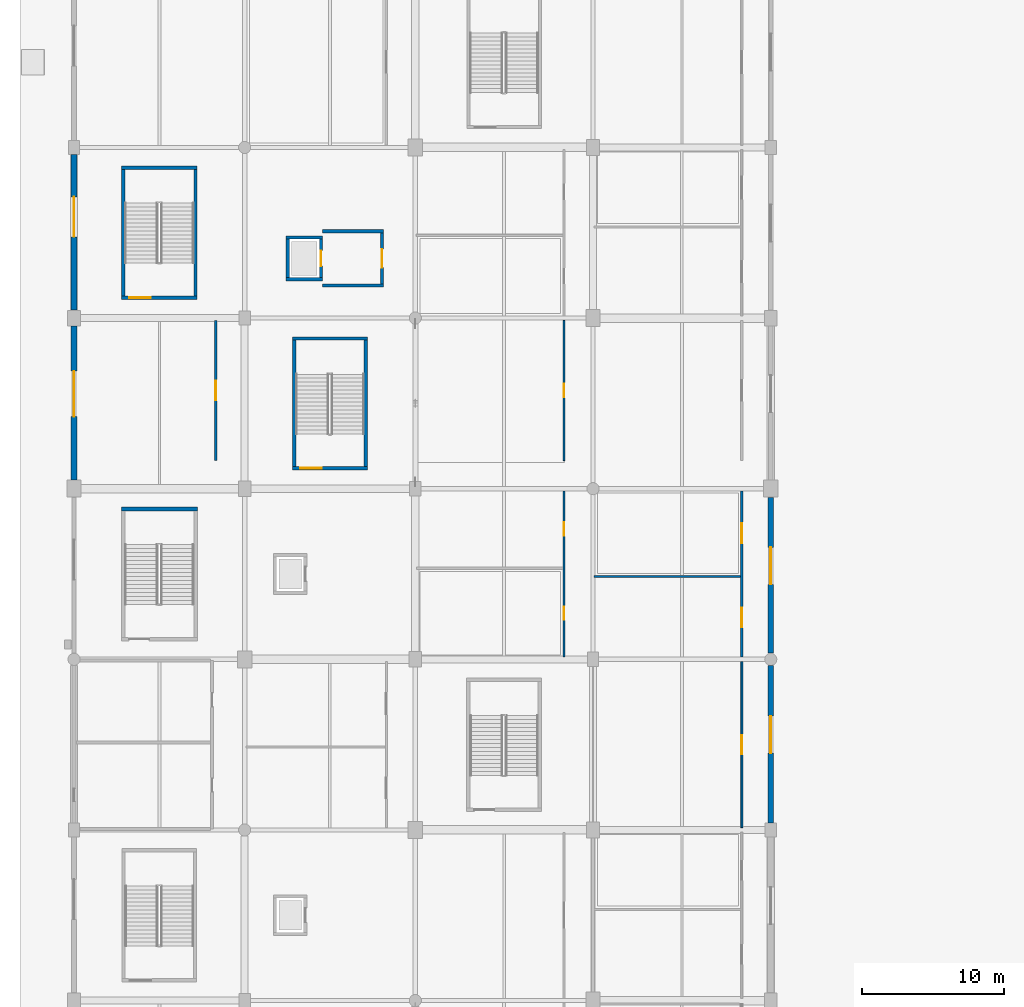
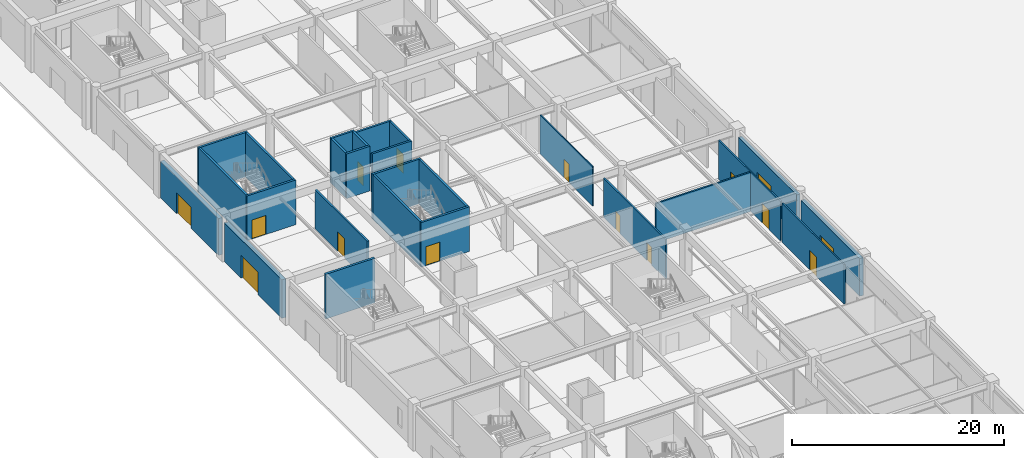
# One storey, part 20 of 69: 26 walls, 15 doors, 15 openings.
"""IFC4 building model written with IfcOpenShell, lengths in metres."""

from ifc_helpers import new_model, si_unit, direction, frame, frame_2d, origin, place, context, subcontext, project, spatial, rectangle, extrude, material, layer, layer_set, type_object, element, fill, save


model = new_model("IFC4")

# Units and contexts
model_context = context("Model", 3, precision=1e-05, world=origin(), true_north=direction((0.0, 1.0)))
body_context = subcontext(model_context, "Body", "Model", "MODEL_VIEW")
ifc_project = project(units=[si_unit("LENGTHUNIT", "METRE"), si_unit("AREAUNIT", "SQUARE_METRE"), si_unit("VOLUMEUNIT", "CUBIC_METRE"), si_unit("PLANEANGLEUNIT", "RADIAN"), si_unit("MASSUNIT", "GRAM", prefix="KILO")], contexts=[model_context])

# Site, building, storey
site_placement = place(None, origin())
site = spatial("IfcSite", under=ifc_project, at=site_placement, CompositionType="ELEMENT")
building_placement = place(site_placement, origin())
building = spatial("IfcBuilding", under=site, at=building_placement, Name="Kazenohara Klinker Stadium", CompositionType="ELEMENT")
storey_placement = place(building_placement, origin())
storey = spatial("IfcBuildingStorey", under=building, at=storey_placement, Name="L00", CompositionType="ELEMENT", Elevation=0.0)

# Wall, opening, door
ifc_material_1 = material(Name="Concrete C40/50", Category="concrete")
ifc_layer_1 = layer(ifc_material_1, 0.22998046875)
ifc_layer_set_1 = layer_set([ifc_layer_1], Name="Concrete C40/50")
wall_type_1 = type_object("IfcWallType", Name="WAL-CORE-230", PredefinedType="SHEAR", material=ifc_layer_set_1)
wall_1_placement = place(storey_placement, frame((3.340087890625, 109.43505859375, 0.0), z_axis=(0.0, 0.0, 1.0), x_axis=(1.0, 0.0, 0.0)))
wall_1 = element("IfcWall", 1, at=wall_1_placement, inside=storey, type_object=wall_type_1, Name="Stairwell shear wall ST04 L00 South", PredefinedType="SHEAR", context=body_context, shape_type="SweptSolid", body=[
    extrude(rectangle(XDim=5.31982421875, YDim=0.22998046875, at=frame_2d((2.659912109375, 0.0))), origin(), (0.0, 0.0, 1.0), 5.139892578125),
])
opening_1_placement = place(wall_1_placement, frame((0.550048828125, 0.0, 0.0)))
opening_1 = element("IfcOpeningElement", 2, at=opening_1_placement, cuts=wall_1, Name="Opening SD02", PredefinedType="OPENING", context=body_context, shape_type="SweptSolid", body=[
    extrude(rectangle(XDim=1.5, YDim=2.199951171875, at=frame_2d((0.75, 1.10009765625))), frame((0.0, 0.125, 0.0), z_axis=(0.0, -1.0, 0.0), x_axis=(1.0, 0.0, 0.0)), (0.0, 0.0, 1.0), 0.25),
])
ifc_material_2 = material(Name="Flush painted steel fire door leaf", Category="steel")
door_type_1 = type_object("IfcDoorType", Name="DR-STR-1500x2200", OperationType="NOTDEFINED", PredefinedType="DOOR", material=ifc_material_2)
door_1_placement = place(opening_1_placement, origin())
door_1 = element("IfcDoor", 3, at=door_1_placement, inside=storey, type_object=door_type_1, Name="Escape stairwell fire door ST04-L00", OperationType="SINGLE_SWING_LEFT", OverallHeight=2.199951171875, OverallWidth=1.5, PredefinedType="DOOR", context=body_context, shape_type="SweptSolid", body=[
    extrude(rectangle(XDim=1.5, YDim=2.199951171875, at=frame_2d((0.75, 1.10009765625))), frame((0.0, 0.02490234375, 0.0), z_axis=(0.0, -1.0, 0.0), x_axis=(1.0, 0.0, 0.0)), (0.0, 0.0, 1.0), 0.050048828125),
])
fill(opening_1, door_1)

# Walls
wall_2_placement = place(storey_placement, frame((3.340087890625, 118.56494140625, 0.0), z_axis=(0.0, 0.0, 1.0), x_axis=(1.0, 0.0, 0.0)))
element("IfcWall", 4, at=wall_2_placement, inside=storey, type_object=wall_type_1, Name="Stairwell shear wall ST04 L00 North", PredefinedType="SHEAR", context=body_context, shape_type="SweptSolid", body=[
    extrude(rectangle(XDim=5.31982421875, YDim=0.22998046875, at=frame_2d((2.659912109375, 0.0))), origin(), (0.0, 0.0, 1.0), 5.139892578125),
])
for number, where, z_axis, x_axis, name in (
    (5, (3.455078125, 109.550048828125, 0.0), (0.0, 0.0, 1.0), (0.0, 1.0, 0.0), "Stairwell shear wall ST04 L00 West"),
    (6, (8.544921875, 109.550048828125, 0.0), (0.0, 0.0, 1.0), (0.0, 1.0, 0.0), "Stairwell shear wall ST04 L00 East"),
):
    element("IfcWall", number, at=place(storey_placement, frame(where, z_axis=z_axis, x_axis=x_axis)), inside=storey, type_object=wall_type_1, Name=name, PredefinedType="SHEAR", context=body_context, shape_type="SweptSolid", body=[
        extrude(rectangle(XDim=8.89990234375, YDim=0.22998046875, at=frame_2d((4.449951171875, 0.0))), origin(), (0.0, 0.0, 1.0), 5.139892578125),
    ])

# Wall, opening, door
wall_3_placement = place(storey_placement, frame((15.3701171875, 97.43505859375, 0.0), z_axis=(0.0, 0.0, 1.0), x_axis=(1.0, 0.0, 0.0)))
wall_3 = element("IfcWall", 7, at=wall_3_placement, inside=storey, type_object=wall_type_1, Name="Stairwell shear wall ST14 L00 South", PredefinedType="SHEAR", context=body_context, shape_type="SweptSolid", body=[
    extrude(rectangle(XDim=5.259765625, YDim=0.22998046875, at=frame_2d((2.6298828125, 0.0))), origin(), (0.0, 0.0, 1.0), 5.139892578125),
])
opening_2_placement = place(wall_3_placement, frame((0.550048828125, 0.0, 0.0)))
opening_2 = element("IfcOpeningElement", 8, at=opening_2_placement, cuts=wall_3, Name="Opening SD02", PredefinedType="OPENING", context=body_context, shape_type="SweptSolid", body=[
    extrude(rectangle(XDim=1.5, YDim=2.199951171875, at=frame_2d((0.75, 1.10009765625))), frame((0.0, 0.125, 0.0), z_axis=(0.0, -1.0, 0.0), x_axis=(1.0, 0.0, 0.0)), (0.0, 0.0, 1.0), 0.25),
])
door_2_placement = place(opening_2_placement, origin())
door_2 = element("IfcDoor", 9, at=door_2_placement, inside=storey, type_object=door_type_1, Name="Escape stairwell fire door ST14-L00", OperationType="SINGLE_SWING_LEFT", OverallHeight=2.199951171875, OverallWidth=1.5, PredefinedType="DOOR", context=body_context, shape_type="SweptSolid", body=[
    extrude(rectangle(XDim=1.5, YDim=2.199951171875, at=frame_2d((0.75, 1.10009765625))), frame((0.0, 0.02490234375, 0.0), z_axis=(0.0, -1.0, 0.0), x_axis=(1.0, 0.0, 0.0)), (0.0, 0.0, 1.0), 0.050048828125),
])
fill(opening_2, door_2)

# Walls
wall_4_placement = place(storey_placement, frame((15.3701171875, 106.56494140625, 0.0), z_axis=(0.0, 0.0, 1.0), x_axis=(1.0, 0.0, 0.0)))
element("IfcWall", 10, at=wall_4_placement, inside=storey, type_object=wall_type_1, Name="Stairwell shear wall ST14 L00 North", PredefinedType="SHEAR", context=body_context, shape_type="SweptSolid", body=[
    extrude(rectangle(XDim=5.259765625, YDim=0.22998046875, at=frame_2d((2.6298828125, 0.0))), origin(), (0.0, 0.0, 1.0), 5.139892578125),
])
for number, where, z_axis, x_axis, name in (
    (11, (15.485107421875, 97.550048828125, 0.0), (0.0, 0.0, 1.0), (0.0, 1.0, 0.0), "Stairwell shear wall ST14 L00 West"),
    (12, (20.514892578125, 97.550048828125, 0.0), (0.0, 0.0, 1.0), (0.0, 1.0, 0.0), "Stairwell shear wall ST14 L00 East"),
):
    element("IfcWall", number, at=place(storey_placement, frame(where, z_axis=z_axis, x_axis=x_axis)), inside=storey, type_object=wall_type_1, Name=name, PredefinedType="SHEAR", context=body_context, shape_type="SweptSolid", body=[
        extrude(rectangle(XDim=8.89990234375, YDim=0.22998046875, at=frame_2d((4.449951171875, 0.0))), origin(), (0.0, 0.0, 1.0), 5.139892578125),
    ])
for number, where, z_axis, x_axis, name in (
    (13, (14.919921875, 110.735107421875, 0.0), (0.0, 0.0, 1.0), (1.0, 0.0, 0.0), "Elevator shaft wall LF02 L00 South"),
    (14, (14.919921875, 113.6650390625, 0.0), (0.0, 0.0, 1.0), (1.0, 0.0, 0.0), "Elevator shaft wall LF02 L00 North"),
):
    element("IfcWall", number, at=place(storey_placement, frame(where, z_axis=z_axis, x_axis=x_axis)), inside=storey, type_object=wall_type_1, Name=name, PredefinedType="SHEAR", context=body_context, shape_type="SweptSolid", body=[
        extrude(rectangle(XDim=2.56005859375, YDim=0.22998046875, at=frame_2d((1.280029296875, 0.0))), origin(), (0.0, 0.0, 1.0), 5.139892578125),
    ])
wall_5_placement = place(storey_placement, frame((15.034912109375, 110.85009765625, 0.0), z_axis=(0.0, 0.0, 1.0), x_axis=(0.0, 1.0, 0.0)))
element("IfcWall", 15, at=wall_5_placement, inside=storey, type_object=wall_type_1, Name="Elevator shaft wall LF02 L00 West", PredefinedType="SHEAR", context=body_context, shape_type="SweptSolid", body=[
    extrude(rectangle(XDim=2.699951171875, YDim=0.22998046875, at=frame_2d((1.35009765625, 0.0))), origin(), (0.0, 0.0, 1.0), 5.139892578125),
])

# Wall, opening, door
wall_6_placement = place(storey_placement, frame((17.364990234375, 110.85009765625, 0.0), z_axis=(0.0, 0.0, 1.0), x_axis=(0.0, 1.0, 0.0)))
wall_6 = element("IfcWall", 16, at=wall_6_placement, inside=storey, type_object=wall_type_1, Name="Elevator shaft wall LF02 L00 East", PredefinedType="SHEAR", context=body_context, shape_type="SweptSolid", body=[
    extrude(rectangle(XDim=2.699951171875, YDim=0.22998046875, at=frame_2d((1.35009765625, 0.0))), origin(), (0.0, 0.0, 1.0), 5.139892578125),
])
opening_3_placement = place(wall_6_placement, frame((0.800048828125, 0.0, 0.0)))
opening_3 = element("IfcOpeningElement", 17, at=opening_3_placement, cuts=wall_6, Name="Opening LD01", PredefinedType="OPENING", context=body_context, shape_type="SweptSolid", body=[
    extrude(rectangle(XDim=1.10009765625, YDim=2.14990234375, at=frame_2d((0.550048828125, 1.074951171875))), frame((0.0, 0.125, 0.0), z_axis=(0.0, -1.0, 0.0), x_axis=(1.0, 0.0, 0.0)), (0.0, 0.0, 1.0), 0.25),
])
ifc_material_3 = material(Name="Stainless steel fire-rated sliding landing door", Category="steel")
door_type_2 = type_object("IfcDoorType", Name="DR-LD01-1100x2150", OperationType="NOTDEFINED", PredefinedType="DOOR", material=ifc_material_3)
door_3_placement = place(opening_3_placement, origin())
door_3 = element("IfcDoor", 18, at=door_3_placement, inside=storey, type_object=door_type_2, Name="Elevator sliding landing door LF02-L00", OperationType="DOUBLE_DOOR_SLIDING", OverallHeight=2.14990234375, OverallWidth=1.10009765625, PredefinedType="DOOR", context=body_context, shape_type="SweptSolid", body=[
    extrude(rectangle(XDim=1.10009765625, YDim=2.14990234375, at=frame_2d((0.550048828125, 1.074951171875))), frame((0.0, 0.02490234375, 0.0), z_axis=(0.0, -1.0, 0.0), x_axis=(1.0, 0.0, 0.0)), (0.0, 0.0, 1.0), 0.050048828125),
])
fill(opening_3, door_3)

# Wall
ifc_layer_2 = layer(ifc_material_1, 0.25)
ifc_layer_set_2 = layer_set([ifc_layer_2], Name="Concrete C40/50")
wall_type_2 = type_object("IfcWallType", Name="WAL-CORE-250", PredefinedType="SHEAR", material=ifc_layer_set_2)
wall_7_placement = place(storey_placement, frame((3.330078125, 94.574951171875, 0.0), z_axis=(0.0, 0.0, 1.0), x_axis=(1.0, 0.0, 0.0)))
element("IfcWall", 19, at=wall_7_placement, inside=storey, type_object=wall_type_2, Name="Stairwell shear wall ST03 L00 North", PredefinedType="SHEAR", context=body_context, shape_type="SweptSolid", body=[
    extrude(rectangle(XDim=5.33984375, YDim=0.25, at=frame_2d((2.669921875, 0.0))), origin(), (0.0, 0.0, 1.0), 5.139892578125),
])

# Wall, opening, door
ifc_material_4 = material(Name="Clinker brick masonry", Category="masonry")
ifc_layer_3 = layer(ifc_material_4, 0.3701171875)
ifc_layer_set_3 = layer_set([ifc_layer_3], Name="Clinker brick masonry")
wall_type_3 = type_object("IfcWallType", Name="WAL-EXT-CB370", PredefinedType="SOLIDWALL", material=ifc_layer_set_3)
wall_8_placement = place(storey_placement, frame((49.0, 84.428955078125, 0.0), z_axis=(0.0, 0.0, 1.0), x_axis=(0.0, 1.0, 0.0)))
wall_8 = element("IfcWall", 20, at=wall_8_placement, inside=storey, type_object=wall_type_3, Name="Clinker brick cavity wall EW03 L00 Y4-7", PredefinedType="SOLIDWALL", context=body_context, shape_type="SweptSolid", body=[
    extrude(rectangle(XDim=10.967041015625, YDim=0.3701171875, at=frame_2d((5.4833984375, 0.0))), origin(), (0.0, 0.0, 1.0), 4.43994140625),
])
opening_4_placement = place(wall_8_placement, frame((7.441650390625, 0.0, 0.0), z_axis=(0.0, 0.0, 1.0), x_axis=(-1.0, 0.0, 0.0)))
opening_4 = element("IfcOpeningElement", 21, at=opening_4_placement, cuts=wall_8, Name="Opening VP05", PredefinedType="OPENING", context=body_context, shape_type="SweptSolid", body=[
    extrude(rectangle(XDim=2.60009765625, YDim=2.5, at=frame_2d((1.300048828125, 1.25))), frame((0.0, 0.195068359375, 0.0), z_axis=(0.0, -1.0, 0.0), x_axis=(1.0, 0.0, 0.0)), (0.0, 0.0, 1.0), 0.39013671875),
])
ifc_material_5 = material(Name="Anodised aluminium acoustic portal leaf", Category="aluminium")
door_type_3 = type_object("IfcDoorType", Name="DR-VOM-2600x2500", OperationType="NOTDEFINED", PredefinedType="DOOR", material=ifc_material_5)
door_4_placement = place(opening_4_placement, origin())
door_4 = element("IfcDoor", 22, at=door_4_placement, inside=storey, type_object=door_type_3, Name="Lower bowl vomitory portal door VP05", OperationType="DOUBLE_DOOR_SINGLE_SWING", OverallHeight=2.5, OverallWidth=2.60009765625, PredefinedType="DOOR", context=body_context, shape_type="SweptSolid", body=[
    extrude(rectangle(XDim=2.60009765625, YDim=2.5, at=frame_2d((1.300048828125, 1.25))), frame((0.0, 0.02490234375, 0.0), z_axis=(0.0, -1.0, 0.0), x_axis=(1.0, 0.0, 0.0)), (0.0, 0.0, 1.0), 0.050048828125),
])
fill(opening_4, door_4)

ifc_layer_4 = layer(ifc_material_4, 0.409912109375)
ifc_layer_set_4 = layer_set([ifc_layer_4], Name="Clinker brick masonry")
wall_type_4 = type_object("IfcWallType", Name="WAL-EXT-CB410", PredefinedType="SOLIDWALL", material=ifc_layer_set_4)
wall_9_placement = place(storey_placement, frame((0.0, 108.553955078125, 0.0), z_axis=(0.0, 0.0, 1.0), x_axis=(0.0, 1.0, 0.0)))
wall_9 = element("IfcWall", 23, at=wall_9_placement, inside=storey, type_object=wall_type_4, Name="Clinker brick cavity wall EW02 L00 Y0-9", PredefinedType="SOLIDWALL", context=body_context, shape_type="SweptSolid", body=[
    extrude(rectangle(XDim=10.942138671875, YDim=0.409912109375, at=frame_2d((5.47119140625, 0.0))), origin(), (0.0, 0.0, 1.0), 4.239990234375),
])
opening_5_placement = place(wall_9_placement, frame((5.165283203125, 0.0, 0.0)))
opening_5 = element("IfcOpeningElement", 24, at=opening_5_placement, cuts=wall_9, Name="Opening G06", PredefinedType="OPENING", context=body_context, shape_type="SweptSolid", body=[
    extrude(rectangle(XDim=2.800048828125, YDim=2.39990234375, at=frame_2d((1.39990234375, 1.199951171875))), frame((0.0, 0.21484375, 0.0), z_axis=(0.0, -1.0, 0.0), x_axis=(1.0, 0.0, 0.0)), (0.0, 0.0, 1.0), 0.429931640625),
])
ifc_material_6 = material(Name="Powder-coated aluminium and laminated safety glass", Category="aluminium")
door_type_4 = type_object("IfcDoorType", Name="DR-GATE-2800x2400", OperationType="NOTDEFINED", PredefinedType="DOOR", material=ifc_material_6)
door_5_placement = place(opening_5_placement, origin())
door_5 = element("IfcDoor", 25, at=door_5_placement, inside=storey, type_object=door_type_4, Name="Pedestrian exit gate G06", OperationType="DOUBLE_DOOR_SINGLE_SWING", OverallHeight=2.39990234375, OverallWidth=2.800048828125, PredefinedType="DOOR", context=body_context, shape_type="SweptSolid", body=[
    extrude(rectangle(XDim=2.800048828125, YDim=2.39990234375, at=frame_2d((1.39990234375, 1.199951171875))), frame((0.0, 0.02490234375, 0.0), z_axis=(0.0, -1.0, 0.0), x_axis=(1.0, 0.0, 0.0)), (0.0, 0.0, 1.0), 0.050048828125),
])
fill(opening_5, door_5)

wall_10_placement = place(storey_placement, frame((49.0, 72.50390625, 0.0), z_axis=(0.0, 0.0, 1.0), x_axis=(0.0, 1.0, 0.0)))
wall_10 = element("IfcWall", 26, at=wall_10_placement, inside=storey, type_object=wall_type_4, Name="Clinker brick cavity wall EW02 L00 Y4-6", PredefinedType="SOLIDWALL", context=body_context, shape_type="SweptSolid", body=[
    extrude(rectangle(XDim=11.067138671875, YDim=0.409912109375, at=frame_2d((5.53369140625, 0.0))), origin(), (0.0, 0.0, 1.0), 4.340087890625),
])
opening_6_placement = place(wall_10_placement, frame((7.49755859375, 0.0, 0.0), z_axis=(0.0, 0.0, 1.0), x_axis=(-1.0, 0.0, 0.0)))
opening_6 = element("IfcOpeningElement", 27, at=opening_6_placement, cuts=wall_10, Name="Opening VP04", PredefinedType="OPENING", context=body_context, shape_type="SweptSolid", body=[
    extrude(rectangle(XDim=2.60009765625, YDim=2.5, at=frame_2d((1.300048828125, 1.25))), frame((0.0, 0.21484375, 0.0), z_axis=(0.0, -1.0, 0.0), x_axis=(1.0, 0.0, 0.0)), (0.0, 0.0, 1.0), 0.429931640625),
])
door_6_placement = place(opening_6_placement, origin())
door_6 = element("IfcDoor", 28, at=door_6_placement, inside=storey, type_object=door_type_3, Name="Lower bowl vomitory portal door VP04", OperationType="DOUBLE_DOOR_SINGLE_SWING", OverallHeight=2.5, OverallWidth=2.60009765625, PredefinedType="DOOR", context=body_context, shape_type="SweptSolid", body=[
    extrude(rectangle(XDim=2.60009765625, YDim=2.5, at=frame_2d((1.300048828125, 1.25))), frame((0.0, 0.02490234375, 0.0), z_axis=(0.0, -1.0, 0.0), x_axis=(1.0, 0.0, 0.0)), (0.0, 0.0, 1.0), 0.050048828125),
])
fill(opening_6, door_6)

ifc_layer_5 = layer(ifc_material_4, 0.449951171875)
ifc_layer_set_5 = layer_set([ifc_layer_5], Name="Clinker brick masonry")
wall_type_5 = type_object("IfcWallType", Name="WAL-EXT-CB450", PredefinedType="SOLIDWALL", material=ifc_layer_set_5)
wall_11_placement = place(storey_placement, frame((0.0, 96.60400390625, 0.0), z_axis=(0.0, 0.0, 1.0), x_axis=(0.0, 1.0, 0.0)))
wall_11 = element("IfcWall", 29, at=wall_11_placement, inside=storey, type_object=wall_type_5, Name="Clinker brick cavity wall EW01 L00 Y0-8", PredefinedType="SOLIDWALL", context=body_context, shape_type="SweptSolid", body=[
    extrude(rectangle(XDim=10.842041015625, YDim=0.449951171875, at=frame_2d((5.4208984375, 0.0))), origin(), (0.0, 0.0, 1.0), 4.43994140625),
])
opening_7_placement = place(wall_11_placement, frame((4.471435546875, 0.0, 0.0)))
opening_7 = element("IfcOpeningElement", 30, at=opening_7_placement, cuts=wall_11, Name="Opening E01", PredefinedType="OPENING", context=body_context, shape_type="SweptSolid", body=[
    extrude(rectangle(XDim=3.199951171875, YDim=2.60009765625, at=frame_2d((1.60009765625, 1.300048828125))), frame((0.0, 0.23486328125, 0.0), z_axis=(0.0, -1.0, 0.0), x_axis=(1.0, 0.0, 0.0)), (0.0, 0.0, 1.0), 0.469970703125),
])
ifc_material_7 = material(Name="Bronze-anodised aluminium and tempered glass", Category="aluminium")
door_type_5 = type_object("IfcDoorType", Name="DR-ENT-3200x2600", OperationType="NOTDEFINED", PredefinedType="DOOR", material=ifc_material_7)
door_7_placement = place(opening_7_placement, origin())
door_7 = element("IfcDoor", 31, at=door_7_placement, inside=storey, type_object=door_type_5, Name="Main spectator entrance E01", OperationType="DOUBLE_DOOR_SINGLE_SWING", OverallHeight=2.60009765625, OverallWidth=3.199951171875, PredefinedType="DOOR", context=body_context, shape_type="SweptSolid", body=[
    extrude(rectangle(XDim=3.199951171875, YDim=2.60009765625, at=frame_2d((1.60009765625, 1.300048828125))), frame((0.0, 0.02490234375, 0.0), z_axis=(0.0, -1.0, 0.0), x_axis=(1.0, 0.0, 0.0)), (0.0, 0.0, 1.0), 0.050048828125),
])
fill(opening_7, door_7)

# Walls
ifc_layer_6 = layer(ifc_material_1, 0.219970703125)
ifc_layer_set_6 = layer_set([ifc_layer_6], Name="Concrete C40/50")
wall_type_6 = type_object("IfcWallType", Name="WAL-INT-FF220", PredefinedType="SOLIDWALL", material=ifc_layer_set_6)
for number, where, z_axis, x_axis, name in (
    (32, (17.47998046875, 110.2900390625, 0.0), (0.0, 0.0, 1.0), (1.0, 0.0, 0.0), "Firefighting lobby wall LF02 L00 South"),
    (33, (17.47998046875, 114.110107421875, 0.0), (0.0, 0.0, 1.0), (1.0, 0.0, 0.0), "Firefighting lobby wall LF02 L00 North"),
):
    element("IfcWall", number, at=place(storey_placement, frame(where, z_axis=z_axis, x_axis=x_axis)), inside=storey, type_object=wall_type_6, Name=name, PredefinedType="SOLIDWALL", context=body_context, shape_type="SweptSolid", body=[
        extrude(rectangle(XDim=4.2900390625, YDim=0.219970703125, at=frame_2d((2.14501953125, 0.0))), origin(), (0.0, 0.0, 1.0), 4.52001953125),
    ])

# Wall, opening, door
wall_12_placement = place(storey_placement, frame((21.659912109375, 110.39990234375, 0.0), z_axis=(0.0, 0.0, 1.0), x_axis=(0.0, 1.0, 0.0)))
wall_12 = element("IfcWall", 34, at=wall_12_placement, inside=storey, type_object=wall_type_6, Name="Firefighting lobby front wall LF02 L00", PredefinedType="SOLIDWALL", context=body_context, shape_type="SweptSolid", body=[
    extrude(rectangle(XDim=3.60009765625, YDim=0.219970703125, at=frame_2d((1.800048828125, 0.0))), origin(), (0.0, 0.0, 1.0), 4.52001953125),
])
opening_8_placement = place(wall_12_placement, frame((1.14990234375, 0.0, 0.0)))
opening_8 = element("IfcOpeningElement", 35, at=opening_8_placement, cuts=wall_12, Name="Opening FD01", PredefinedType="OPENING", context=body_context, shape_type="SweptSolid", body=[
    extrude(rectangle(XDim=1.300048828125, YDim=2.14990234375, at=frame_2d((0.64990234375, 1.074951171875))), frame((0.0, 0.1201171875, 0.0), z_axis=(0.0, -1.0, 0.0), x_axis=(1.0, 0.0, 0.0)), (0.0, 0.0, 1.0), 0.239990234375),
])
ifc_material_8 = material(Name="Smoke-sealed steel fire lobby door", Category="steel")
door_type_6 = type_object("IfcDoorType", Name="DR-FFL-1300x2150", OperationType="NOTDEFINED", PredefinedType="DOOR", material=ifc_material_8)
door_8_placement = place(opening_8_placement, origin())
door_8 = element("IfcDoor", 36, at=door_8_placement, inside=storey, type_object=door_type_6, Name="Firefighting lobby smoke-sealed door LF02-L00", OperationType="SINGLE_SWING_LEFT", OverallHeight=2.14990234375, OverallWidth=1.300048828125, PredefinedType="DOOR", context=body_context, shape_type="SweptSolid", body=[
    extrude(rectangle(XDim=1.300048828125, YDim=2.14990234375, at=frame_2d((0.64990234375, 1.074951171875))), frame((0.0, 0.02490234375, 0.0), z_axis=(0.0, -1.0, 0.0), x_axis=(1.0, 0.0, 0.0)), (0.0, 0.0, 1.0), 0.050048828125),
])
fill(opening_8, door_8)

ifc_material_9 = material(Name="Fire-rated gypsum board on acoustic studs", Category="gypsum")
ifc_layer_7 = layer(ifc_material_9, 0.110107421875)
ifc_layer_set_7 = layer_set([ifc_layer_7], Name="Fire-rated gypsum board on acoustic studs")
wall_type_7 = type_object("IfcWallType", Name="WAL-INT-P110", PredefinedType="PARTITIONING", material=ifc_layer_set_7)
wall_13_placement = place(storey_placement, frame((34.4599609375, 97.969970703125, 0.0), z_axis=(0.0, 0.0, 1.0), x_axis=(0.0, 1.0, 0.0)))
wall_13 = element("IfcWall", 37, at=wall_13_placement, inside=storey, type_object=wall_type_7, Name="Interior partition wall PT01 SPC-L00-02-08-1-1", PredefinedType="PARTITIONING", context=body_context, shape_type="SweptSolid", body=[
    extrude(rectangle(XDim=9.8701171875, YDim=0.110107421875, at=frame_2d((4.93505859375, 0.0))), origin(), (0.0, 0.0, 1.0), 4.52001953125),
])
opening_9_placement = place(wall_13_placement, frame((4.4599609375, 0.0, 0.0)))
opening_9 = element("IfcOpeningElement", 38, at=opening_9_placement, cuts=wall_13, Name="Opening ID03", PredefinedType="OPENING", context=body_context, shape_type="SweptSolid", body=[
    extrude(rectangle(XDim=0.949951171875, YDim=2.1201171875, at=frame_2d((0.47509765625, 1.06005859375))), frame((0.0, 0.06494140625, 0.0), z_axis=(0.0, -1.0, 0.0), x_axis=(1.0, 0.0, 0.0)), (0.0, 0.0, 1.0), 0.130126953125),
])
ifc_material_10 = material(Name="Solid-core Hokkaido oak fire door", Category="wood")
door_type_7 = type_object("IfcDoorType", Name="DR-INT-03", OperationType="NOTDEFINED", PredefinedType="DOOR", material=ifc_material_10)
door_9_placement = place(opening_9_placement, origin())
door_9 = element("IfcDoor", 39, at=door_9_placement, inside=storey, type_object=door_type_7, Name="Interior door ID03 Spectator First-Aid Medical Clinic L00-0208A", OperationType="SINGLE_SWING_RIGHT", OverallHeight=2.1201171875, OverallWidth=0.949951171875, PredefinedType="DOOR", context=body_context, shape_type="SweptSolid", body=[
    extrude(rectangle(XDim=0.949951171875, YDim=2.1201171875, at=frame_2d((0.47509765625, 1.06005859375))), frame((0.0, 0.02490234375, 0.0), z_axis=(0.0, -1.0, 0.0), x_axis=(1.0, 0.0, 0.0)), (0.0, 0.0, 1.0), 0.050048828125),
])
fill(opening_9, door_9)

ifc_layer_8 = layer(ifc_material_9, 0.139892578125)
ifc_layer_set_8 = layer_set([ifc_layer_8], Name="Fire-rated gypsum board on acoustic studs")
wall_type_8 = type_object("IfcWallType", Name="WAL-INT-P140", PredefinedType="PARTITIONING", material=ifc_layer_set_8)
wall_14_placement = place(storey_placement, frame((46.9599609375, 72.159912109375, 0.0), z_axis=(0.0, 0.0, 1.0), x_axis=(0.0, 1.0, 0.0)))
wall_14 = element("IfcWall", 40, at=wall_14_placement, inside=storey, type_object=wall_type_8, Name="Interior partition wall PT03 SPC-L00-03-06-1-1", PredefinedType="PARTITIONING", context=body_context, shape_type="SweptSolid", body=[
    extrude(rectangle(XDim=11.68017578125, YDim=0.139892578125, at=frame_2d((5.840087890625, 0.0))), origin(), (0.0, 0.0, 1.0), 4.52001953125),
])
opening_10_placement = place(wall_14_placement, frame((5.175048828125, 0.0, 0.0)))
opening_10 = element("IfcOpeningElement", 41, at=opening_10_placement, cuts=wall_14, Name="Opening ID16", PredefinedType="OPENING", context=body_context, shape_type="SweptSolid", body=[
    extrude(rectangle(XDim=1.330078125, YDim=2.219970703125, at=frame_2d((0.6650390625, 1.10986328125))), frame((0.0, 0.080078125, 0.0), z_axis=(0.0, -1.0, 0.0), x_axis=(1.0, 0.0, 0.0)), (0.0, 0.0, 1.0), 0.159912109375),
])
door_type_8 = type_object("IfcDoorType", Name="DR-INT-16", OperationType="NOTDEFINED", PredefinedType="DOOR", material=ifc_material_10)
door_10_placement = place(opening_10_placement, origin())
door_10 = element("IfcDoor", 42, at=door_10_placement, inside=storey, type_object=door_type_8, Name="Interior door ID16 Supporter Merchandising Retail Shop L00-0306A", OperationType="SINGLE_SWING_LEFT", OverallHeight=2.219970703125, OverallWidth=1.330078125, PredefinedType="DOOR", context=body_context, shape_type="SweptSolid", body=[
    extrude(rectangle(XDim=1.330078125, YDim=2.219970703125, at=frame_2d((0.6650390625, 1.10986328125))), frame((0.0, 0.02490234375, 0.0), z_axis=(0.0, -1.0, 0.0), x_axis=(1.0, 0.0, 0.0)), (0.0, 0.0, 1.0), 0.050048828125),
])
fill(opening_10, door_10)

# Wall, openings, doors
ifc_layer_9 = layer(ifc_material_9, 0.14990234375)
ifc_layer_set_9 = layer_set([ifc_layer_9], Name="Fire-rated gypsum board on acoustic studs")
wall_type_9 = type_object("IfcWallType", Name="WAL-INT-P150", PredefinedType="PARTITIONING", material=ifc_layer_set_9)
wall_15_placement = place(storey_placement, frame((46.9599609375, 84.159912109375, 0.0), z_axis=(0.0, 0.0, 1.0), x_axis=(0.0, 1.0, 0.0)))
wall_15 = element("IfcWall", 43, at=wall_15_placement, inside=storey, type_object=wall_type_9, Name="Interior partition wall PT04 SPC-L00-03-07-1-1", PredefinedType="PARTITIONING", context=body_context, shape_type="SweptSolid", body=[
    extrude(rectangle(XDim=11.68017578125, YDim=0.14990234375, at=frame_2d((5.840087890625, 0.0))), origin(), (0.0, 0.0, 1.0), 4.52001953125),
])
opening_11_placement = place(wall_15_placement, frame((2.1123046875, 0.0, 0.0)))
opening_11 = element("IfcOpeningElement", 44, at=opening_11_placement, cuts=wall_15, Name="Opening ID17", PredefinedType="OPENING", context=body_context, shape_type="SweptSolid", body=[
    extrude(rectangle(XDim=1.360107421875, YDim=2.25, at=frame_2d((0.68017578125, 1.125))), frame((0.0, 0.0849609375, 0.0), z_axis=(0.0, -1.0, 0.0), x_axis=(1.0, 0.0, 0.0)), (0.0, 0.0, 1.0), 0.169921875),
])
opening_12_placement = place(wall_15_placement, frame((8.012451171875, 0.0, 0.0)))
opening_12 = element("IfcOpeningElement", 45, at=opening_12_placement, cuts=wall_15, Name="Opening ID18", PredefinedType="OPENING", context=body_context, shape_type="SweptSolid", body=[
    extrude(rectangle(XDim=1.39990234375, YDim=2.239990234375, at=frame_2d((0.699951171875, 1.1201171875))), frame((0.0, 0.0849609375, 0.0), z_axis=(0.0, -1.0, 0.0), x_axis=(1.0, 0.0, 0.0)), (0.0, 0.0, 1.0), 0.169921875),
])
door_type_9 = type_object("IfcDoorType", Name="DR-INT-17", OperationType="NOTDEFINED", PredefinedType="DOOR", material=ifc_material_10)
door_11_placement = place(opening_11_placement, origin())
door_11 = element("IfcDoor", 46, at=door_11_placement, inside=storey, type_object=door_type_9, Name="Interior door ID17 Spectator First-Aid Medical Clinic L00-0307A", OperationType="SINGLE_SWING_RIGHT", OverallHeight=2.25, OverallWidth=1.360107421875, PredefinedType="DOOR", context=body_context, shape_type="SweptSolid", body=[
    extrude(rectangle(XDim=1.360107421875, YDim=2.25, at=frame_2d((0.68017578125, 1.125))), frame((0.0, 0.02490234375, 0.0), z_axis=(0.0, -1.0, 0.0), x_axis=(1.0, 0.0, 0.0)), (0.0, 0.0, 1.0), 0.050048828125),
])
fill(opening_11, door_11)
door_type_10 = type_object("IfcDoorType", Name="DR-INT-18", OperationType="NOTDEFINED", PredefinedType="DOOR", material=ifc_material_10)
door_12_placement = place(opening_12_placement, origin())
door_12 = element("IfcDoor", 47, at=door_12_placement, inside=storey, type_object=door_type_10, Name="Interior door ID18 Winter-Garden Retail Galleria Boutique L00-0307B", OperationType="SINGLE_SWING_LEFT", OverallHeight=2.239990234375, OverallWidth=1.39990234375, PredefinedType="DOOR", context=body_context, shape_type="SweptSolid", body=[
    extrude(rectangle(XDim=1.39990234375, YDim=2.239990234375, at=frame_2d((0.699951171875, 1.1201171875))), frame((0.0, 0.02490234375, 0.0), z_axis=(0.0, -1.0, 0.0), x_axis=(1.0, 0.0, 0.0)), (0.0, 0.0, 1.0), 0.050048828125),
])
fill(opening_12, door_12)

ifc_layer_10 = layer(ifc_material_9, 0.169921875)
ifc_layer_set_10 = layer_set([ifc_layer_10], Name="Fire-rated gypsum board on acoustic studs")
wall_type_10 = type_object("IfcWallType", Name="WAL-INT-P170", PredefinedType="PARTITIONING", material=ifc_layer_set_10)
wall_16_placement = place(storey_placement, frame((34.4599609375, 84.159912109375, 0.0), z_axis=(0.0, 0.0, 1.0), x_axis=(0.0, 1.0, 0.0)))
wall_16 = element("IfcWall", 48, at=wall_16_placement, inside=storey, type_object=wall_type_10, Name="Interior partition wall PT05 SPC-L00-02-07-1-1", PredefinedType="PARTITIONING", context=body_context, shape_type="SweptSolid", body=[
    extrude(rectangle(XDim=11.68017578125, YDim=0.169921875, at=frame_2d((5.840087890625, 0.0))), origin(), (0.0, 0.0, 1.0), 4.52001953125),
])
opening_13_placement = place(wall_16_placement, frame((2.634521484375, 0.0, 0.0)))
opening_13 = element("IfcOpeningElement", 49, at=opening_13_placement, cuts=wall_16, Name="Opening ID01", PredefinedType="OPENING", context=body_context, shape_type="SweptSolid", body=[
    extrude(rectangle(XDim=0.89990234375, YDim=2.06005859375, at=frame_2d((0.449951171875, 1.030029296875))), frame((0.0, 0.094970703125, 0.0), z_axis=(0.0, -1.0, 0.0), x_axis=(1.0, 0.0, 0.0)), (0.0, 0.0, 1.0), 0.18994140625),
])
opening_14_placement = place(wall_16_placement, frame((8.54443359375, 0.0, 0.0)))
opening_14 = element("IfcOpeningElement", 50, at=opening_14_placement, cuts=wall_16, Name="Opening ID02", PredefinedType="OPENING", context=body_context, shape_type="SweptSolid", body=[
    extrude(rectangle(XDim=0.919921875, YDim=2.10009765625, at=frame_2d((0.4599609375, 1.050048828125))), frame((0.0, 0.094970703125, 0.0), z_axis=(0.0, -1.0, 0.0), x_axis=(1.0, 0.0, 0.0)), (0.0, 0.0, 1.0), 0.18994140625),
])
door_type_11 = type_object("IfcDoorType", Name="DR-INT-01", OperationType="NOTDEFINED", PredefinedType="DOOR", material=ifc_material_10)
door_13_placement = place(opening_13_placement, origin())
door_13 = element("IfcDoor", 51, at=door_13_placement, inside=storey, type_object=door_type_11, Name="Interior door ID01 Supporter Merchandising Retail Shop L00-0207A", OperationType="SINGLE_SWING_RIGHT", OverallHeight=2.06005859375, OverallWidth=0.89990234375, PredefinedType="DOOR", context=body_context, shape_type="SweptSolid", body=[
    extrude(rectangle(XDim=0.89990234375, YDim=2.06005859375, at=frame_2d((0.449951171875, 1.030029296875))), frame((0.0, 0.02490234375, 0.0), z_axis=(0.0, -1.0, 0.0), x_axis=(1.0, 0.0, 0.0)), (0.0, 0.0, 1.0), 0.050048828125),
])
fill(opening_13, door_13)
door_type_12 = type_object("IfcDoorType", Name="DR-INT-02", OperationType="NOTDEFINED", PredefinedType="DOOR", material=ifc_material_10)
door_14_placement = place(opening_14_placement, origin())
door_14 = element("IfcDoor", 52, at=door_14_placement, inside=storey, type_object=door_type_12, Name="Interior door ID02 Concourse Craft Beverage Tavern L00-0207B", OperationType="SINGLE_SWING_LEFT", OverallHeight=2.10009765625, OverallWidth=0.919921875, PredefinedType="DOOR", context=body_context, shape_type="SweptSolid", body=[
    extrude(rectangle(XDim=0.919921875, YDim=2.10009765625, at=frame_2d((0.4599609375, 1.050048828125))), frame((0.0, 0.02490234375, 0.0), z_axis=(0.0, -1.0, 0.0), x_axis=(1.0, 0.0, 0.0)), (0.0, 0.0, 1.0), 0.050048828125),
])
fill(opening_14, door_14)

# Wall
wall_17_placement = place(storey_placement, frame((36.580078125, 89.82470703125, 0.0), z_axis=(0.0, 0.0, 1.0), x_axis=(1.0, 0.0, 0.0)))
element("IfcWall", 53, at=wall_17_placement, inside=storey, type_object=wall_type_10, Name="Interior partition wall PT05 SPC-L00-03-07-1-2", PredefinedType="PARTITIONING", context=body_context, shape_type="SweptSolid", body=[
    extrude(rectangle(XDim=10.2998046875, YDim=0.169921875, at=frame_2d((5.14990234375, 0.0))), origin(), (0.0, 0.0, 1.0), 4.52001953125),
])

# Wall, opening, door
ifc_layer_11 = layer(ifc_material_9, 0.18994140625)
ifc_layer_set_11 = layer_set([ifc_layer_11], Name="Fire-rated gypsum board on acoustic studs")
wall_type_11 = type_object("IfcWallType", Name="WAL-INT-P190", PredefinedType="PARTITIONING", material=ifc_layer_set_11)
wall_18_placement = place(storey_placement, frame((9.9599609375, 97.969970703125, 0.0), z_axis=(0.0, 0.0, 1.0), x_axis=(0.0, 1.0, 0.0)))
wall_18 = element("IfcWall", 54, at=wall_18_placement, inside=storey, type_object=wall_type_11, Name="Interior partition wall PT06 SPC-L00-00-08-1-1", PredefinedType="PARTITIONING", context=body_context, shape_type="SweptSolid", body=[
    extrude(rectangle(XDim=9.8701171875, YDim=0.18994140625, at=frame_2d((4.93505859375, 0.0))), origin(), (0.0, 0.0, 1.0), 4.52001953125),
])
opening_15_placement = place(wall_18_placement, frame((4.2548828125, 0.0, 0.0)))
opening_15 = element("IfcOpeningElement", 55, at=opening_15_placement, cuts=wall_18, Name="Opening ID17", PredefinedType="OPENING", context=body_context, shape_type="SweptSolid", body=[
    extrude(rectangle(XDim=1.360107421875, YDim=2.25, at=frame_2d((0.68017578125, 1.125))), frame((0.0, 0.10498046875, 0.0), z_axis=(0.0, -1.0, 0.0), x_axis=(1.0, 0.0, 0.0)), (0.0, 0.0, 1.0), 0.2099609375),
])
door_15_placement = place(opening_15_placement, origin())
door_15 = element("IfcDoor", 56, at=door_15_placement, inside=storey, type_object=door_type_9, Name="Interior door ID17 Supporter Merchandising Retail Shop L00-0008A", OperationType="SINGLE_SWING_RIGHT", OverallHeight=2.25, OverallWidth=1.360107421875, PredefinedType="DOOR", context=body_context, shape_type="SweptSolid", body=[
    extrude(rectangle(XDim=1.360107421875, YDim=2.25, at=frame_2d((0.68017578125, 1.125))), frame((0.0, 0.02490234375, 0.0), z_axis=(0.0, -1.0, 0.0), x_axis=(1.0, 0.0, 0.0)), (0.0, 0.0, 1.0), 0.050048828125),
])
fill(opening_15, door_15)

save(model, "model.ifc")
